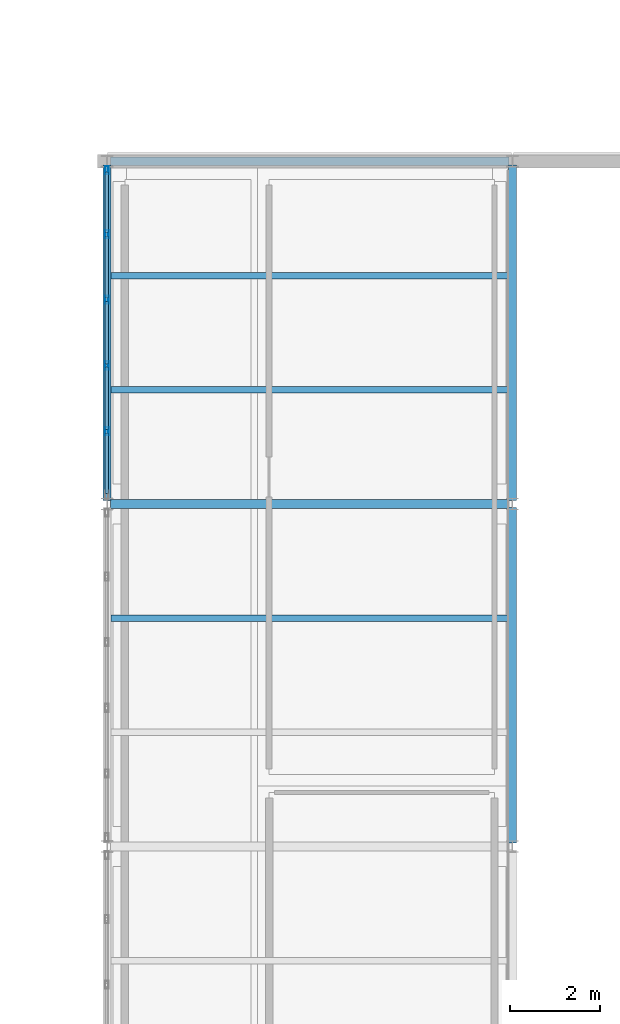
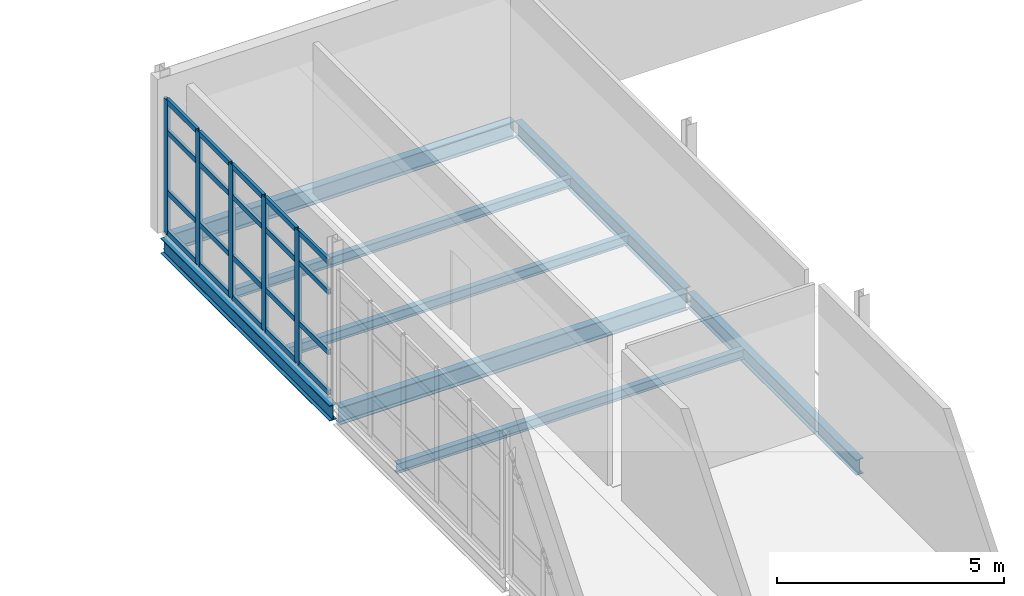
# One storey, part 108 of 166: 25 members, 8 beams, 1 element without a shape of its own.
"""IFC4 building model written with IfcOpenShell, lengths in metres."""

import ifcopenshell
import ifcopenshell.guid

model = None  # the IFC model being written
_history = None  # IfcOwnerHistory: only IFC2X3 demands one
_inside = {}  # id of a spatial element -> (the spatial element, [elements in it])
_under = {}  # id of a project, library or spatial element -> (it, [spatial elements below it])
_declared = {}  # id of a project -> (the project, [libraries it declares])
_typed = {}  # id of a type object -> (the type object, [elements of that type])
_made_of = {}  # id of a material, layer set ... -> (it, [elements and type objects made of it])


def new_model(schema):
    """Start an empty IFC model of exactly this schema.

    Asked for "IFC4X3", IfcOpenShell would pick the latest addendum, in which some entities
    have other attributes; the version numbers below select the first issue.
    IFC2X3 requires an IfcOwnerHistory on every rooted entity: one is made here for all.
    """
    global model, _history
    if schema == "IFC4X3":
        model = ifcopenshell.file(schema_version=(4, 3, 0, 0))
    else:
        model = ifcopenshell.file(schema=schema)
    _inside.clear()
    _under.clear()
    _declared.clear()
    _typed.clear()
    _made_of.clear()
    _history = None
    if model.schema == "IFC2X3":
        org = make("IfcOrganization", Name="unknown")
        user = make(
            "IfcPersonAndOrganization",
            ThePerson=make("IfcPerson", FamilyName="unknown"),
            TheOrganization=org,
        )
        app = make(
            "IfcApplication",
            ApplicationDeveloper=org,
            Version="unknown",
            ApplicationFullName="unknown",
            ApplicationIdentifier="unknown",
        )
        _history = make(
            "IfcOwnerHistory",
            OwningUser=user,
            OwningApplication=app,
            ChangeAction="ADDED",
            CreationDate=0,
        )
    return model


def make(cls, **values):
    """One entity of the class cls with the attributes given. An attribute that is None is left unset."""
    return model.create_entity(
        cls, **{name: value for name, value in values.items() if value is not None}
    )


def rooted(cls, **values):
    """An entity with a GlobalId (a new one), such as an element, a storey or a relation."""
    return make(cls, GlobalId=ifcopenshell.guid.new(), OwnerHistory=_history, **values)


def si_unit(unit_type, name, prefix=None):
    """IfcSIUnit, for example si_unit("LENGTHUNIT", "METRE", prefix="MILLI")."""
    return make("IfcSIUnit", UnitType=unit_type, Prefix=prefix, Name=name)


def assignment(units):
    """IfcUnitAssignment: the units of a project."""
    return None if units is None else make("IfcUnitAssignment", Units=units)


def point(xyz):
    """IfcCartesianPoint."""
    return None if xyz is None else make("IfcCartesianPoint", Coordinates=xyz)


def direction(xyz):
    """IfcDirection."""
    return None if xyz is None else make("IfcDirection", DirectionRatios=xyz)


def frame(location, z_axis=None, x_axis=None):
    """IfcAxis2Placement3D, a coordinate frame: its origin and axes. An axis left out is left unset."""
    return make(
        "IfcAxis2Placement3D",
        Location=point(location),
        Axis=direction(z_axis),
        RefDirection=direction(x_axis),
    )


def frame_2d(location, x_axis=None):
    """IfcAxis2Placement2D, a coordinate frame in the plane: its origin and x axis."""
    return make(
        "IfcAxis2Placement2D", Location=point(location), RefDirection=direction(x_axis)
    )


def origin():
    """The frame at (0, 0, 0) with its axes left unset."""
    return frame((0.0, 0.0, 0.0))


def origin_2d():
    """The frame at (0, 0) in the plane with its x axis left unset."""
    return frame_2d((0.0, 0.0))


def place(relative_to, where):
    """IfcLocalPlacement: puts the frame where relative to a parent placement (None: the world)."""
    return make(
        "IfcLocalPlacement", PlacementRelTo=relative_to, RelativePlacement=where
    )


def context(
    kind, dimensions, precision=None, world=None, true_north=None, identifier=None
):
    """IfcGeometricRepresentationContext, for example the 3D "Model" context."""
    return make(
        "IfcGeometricRepresentationContext",
        ContextIdentifier=identifier,
        ContextType=kind,
        CoordinateSpaceDimension=dimensions,
        Precision=precision,
        WorldCoordinateSystem=world,
        TrueNorth=true_north,
    )


def subcontext(parent, identifier, kind, view, scale=None):
    """IfcGeometricRepresentationSubContext, for example "Body" below "Model"."""
    return make(
        "IfcGeometricRepresentationSubContext",
        ContextIdentifier=identifier,
        ContextType=kind,
        ParentContext=parent,
        TargetScale=scale,
        TargetView=view,
    )


def project(units=None, contexts=None):
    """IfcProject with its units and contexts."""
    return rooted(
        "IfcProject",
        Name="project",
        RepresentationContexts=contexts,
        UnitsInContext=assignment(units),
    )


def spatial(cls, under=None, at=None, **own):
    """A site, building, storey or space (cls), placed at a placement, below another one or the project."""
    s = rooted(cls, ObjectPlacement=at, **own)
    if under is not None:
        _under.setdefault(under.id(), (under, []))[1].append(s)
    return s


def profile(cls, at=None, kind="AREA", **sizes):
    """A parametric profile (cls). Its sizes go by their IFC names, for example OverallWidth=200.0."""
    return make(cls, ProfileType=kind, Position=at, **sizes)


def hollow_rectangle(**sizes):
    """IfcRectangleHollowProfileDef."""
    return profile("IfcRectangleHollowProfileDef", **sizes)


def i_section(**sizes):
    """IfcIShapeProfileDef."""
    return profile("IfcIShapeProfileDef", **sizes)


def extrude(swept, where, along, depth):
    """IfcExtrudedAreaSolid: the profile swept, set in the frame where, extruded along a direction by depth."""
    return make(
        "IfcExtrudedAreaSolid",
        SweptArea=swept,
        Position=where,
        ExtrudedDirection=direction(along),
        Depth=depth,
    )


def shape(context_of_items, identifier, shape_type, items):
    """IfcShapeRepresentation: the items that make up one representation, for example the "Body"."""
    return make(
        "IfcShapeRepresentation",
        ContextOfItems=context_of_items,
        RepresentationIdentifier=identifier,
        RepresentationType=shape_type,
        Items=items,
    )


def material(Name=None, Category=None):
    """IfcMaterial."""
    return make("IfcMaterial", Name=Name, Category=Category)


def material_profile(
    of_material, cross_section, Name=None, Category=None, Priority=None
):
    """IfcMaterialProfile: a cross section and its material."""
    return make(
        "IfcMaterialProfile",
        Name=Name,
        Material=of_material,
        Profile=cross_section,
        Priority=Priority,
        Category=Category,
    )


def profile_set(profiles, Name=None, composite=None):
    """IfcMaterialProfileSet."""
    return make(
        "IfcMaterialProfileSet",
        Name=Name,
        MaterialProfiles=profiles,
        CompositeProfile=composite,
    )


def made_of(thing, what):
    """Note that an element or type object is made of a material, layer set ...; save() writes the relation."""
    if what is not None:
        _made_of.setdefault(what.id(), (what, []))[1].append(thing)
    return thing


def type_object(cls, material=None, **own):
    """A type object (cls), such as IfcWallType, which elements share."""
    return made_of(rooted(cls, **own), material)


def element(
    cls,
    number,
    at=None,
    inside=None,
    cuts=None,
    type_object=None,
    material=None,
    context=None,
    identifier="Body",
    shape_type=None,
    held_by="IfcProductDefinitionShape",
    body=None,
    shapes=None,
    **own,
):
    """One element of the class cls, such as IfcWall. Its Tag is "e" and its number.

    at: its placement. inside: the storey or other place that contains it. cuts: it is an
    opening in that element (IfcRelVoidsElement). A single representation is given by context,
    identifier, shape_type and body (its items); several are given by shapes. held_by: the class
    of the entity that holds the representations. save() writes the other relations.
    """
    e = rooted(cls, Tag="e%d" % number, ObjectPlacement=at, **own)
    if body is not None:
        shapes = [shape(context, identifier, shape_type, body)]
    if shapes is not None:
        e.Representation = make(held_by, Representations=shapes)
    if inside is not None:
        _inside.setdefault(inside.id(), (inside, []))[1].append(e)
    if cuts is not None:
        rooted(
            "IfcRelVoidsElement", RelatingBuildingElement=cuts, RelatedOpeningElement=e
        )
    if type_object is not None:
        _typed.setdefault(type_object.id(), (type_object, []))[1].append(e)
    return made_of(e, material)


def aggregate(whole, parts):
    """IfcRelAggregates: a whole, such as a stair, and the parts it consists of."""
    return rooted("IfcRelAggregates", RelatingObject=whole, RelatedObjects=parts)


def save(model, path):
    """Write the relations noted so far, then the file.

    IfcRelAggregates (storeys below a building ...), IfcRelContainedInSpatialStructure (elements
    in a storey), IfcRelDefinesByType, IfcRelAssociatesMaterial and IfcRelDeclares: one each for
    every whole, place, type object, material and project.
    """
    for whole, parts in _under.values():
        aggregate(whole, parts)
    for where, things in _inside.values():
        rooted(
            "IfcRelContainedInSpatialStructure",
            RelatedElements=things,
            RelatingStructure=where,
        )
    for kind, things in _typed.values():
        rooted("IfcRelDefinesByType", RelatedObjects=things, RelatingType=kind)
    for what, things in _made_of.values():
        rooted("IfcRelAssociatesMaterial", RelatedObjects=things, RelatingMaterial=what)
    for by, libraries in _declared.values():
        rooted("IfcRelDeclares", RelatingContext=by, RelatedDefinitions=libraries)
    model.write(path)


model = new_model("IFC4")

# Units and contexts
model_context = context("Model", 3, precision=1e-05, world=origin(), true_north=direction((0.0, 1.0)))
body_context = subcontext(model_context, "Body", "Model", "MODEL_VIEW")
ifc_project = project(units=[si_unit("LENGTHUNIT", "METRE"), si_unit("AREAUNIT", "SQUARE_METRE"), si_unit("VOLUMEUNIT", "CUBIC_METRE"), si_unit("PLANEANGLEUNIT", "RADIAN"), si_unit("MASSUNIT", "GRAM", prefix="KILO")], contexts=[model_context])

# Site, building, storey
site_placement = place(None, origin())
site = spatial("IfcSite", under=ifc_project, at=site_placement, CompositionType="ELEMENT")
building_placement = place(site_placement, origin())
building = spatial("IfcBuilding", under=site, at=building_placement, Name="Caisbarro Railhouse Central Library", CompositionType="ELEMENT")
storey_placement = place(building_placement, frame((0.0, 0.0, 9.360107421875)))
storey = spatial("IfcBuildingStorey", under=building, at=storey_placement, Name="L02", CompositionType="ELEMENT", Elevation=9.360107421875)

# Beams
ifc_material_1 = material(Name="Steel ASTM A572 Grade 50", Category="steel")
ifc_material_profile_1 = material_profile(ifc_material_1, i_section(OverallWidth=0.194091796875, OverallDepth=0.468994140625, WebThickness=0.0126953125, FlangeThickness=0.0205078125, FilletRadius=0.01806640625, at=origin_2d()), Name="W460X106.0")
ifc_profile_set_1 = profile_set([ifc_material_profile_1], Name="Steel ASTM A572 Grade 50")
beam_type_1 = type_object("IfcBeamType", Name="BM-G07", PredefinedType="BEAM", material=ifc_profile_set_1)
beam_1_placement = place(storey_placement, frame((144.080078125, 30.39990234375, -0.4345703125), z_axis=(1.0, 0.0, 0.0), x_axis=(0.0, 1.0, 0.0)))
element("IfcBeam", 1, at=beam_1_placement, inside=storey, type_object=beam_type_1, Name="G07 beam L02 #1632", PredefinedType="BEAM", context=body_context, shape_type="SweptSolid", body=[
    extrude(i_section(OverallWidth=0.194091796875, OverallDepth=0.468994140625, WebThickness=0.0126953125, FlangeThickness=0.0205078125, FilletRadius=0.01806640625, at=origin_2d()), origin(), (0.0, 0.0, 1.0), 8.83984375),
])
ifc_material_profile_2 = material_profile(ifc_material_1, i_section(OverallWidth=0.180908203125, OverallDepth=0.4169921875, WebThickness=0.010986328125, FlangeThickness=0.018310546875, FilletRadius=0.01611328125, at=origin_2d()), Name="W410X85.0")
ifc_profile_set_2 = profile_set([ifc_material_profile_2], Name="Steel ASTM A572 Grade 50")
beam_type_2 = type_object("IfcBeamType", Name="BM-G09", PredefinedType="BEAM", material=ifc_profile_set_2)
beam_2_placement = place(storey_placement, frame((144.0, 30.47998046875, -0.40869140625), z_axis=(0.0, 1.0, 0.0), x_axis=(-1.0, 0.0, 0.0)))
element("IfcBeam", 2, at=beam_2_placement, inside=storey, type_object=beam_type_2, Name="G09 beam L02 #1638", PredefinedType="BEAM", context=body_context, shape_type="SweptSolid", body=[
    extrude(i_section(OverallWidth=0.180908203125, OverallDepth=0.4169921875, WebThickness=0.010986328125, FlangeThickness=0.018310546875, FilletRadius=0.01611328125, at=origin_2d()), origin(), (0.0, 0.0, 1.0), 7.43994140625),
])
beam_3_placement = place(storey_placement, frame((153.0, 22.8798828125, -0.40869140625), z_axis=(0.0, 1.0, 0.0), x_axis=(-1.0, 0.0, 0.0)))
element("IfcBeam", 3, at=beam_3_placement, inside=storey, type_object=beam_type_2, Name="G09 beam L02 #1642", PredefinedType="BEAM", context=body_context, shape_type="SweptSolid", body=[
    extrude(i_section(OverallWidth=0.180908203125, OverallDepth=0.4169921875, WebThickness=0.010986328125, FlangeThickness=0.018310546875, FilletRadius=0.01611328125, at=origin_2d()), origin(), (0.0, 0.0, 1.0), 7.440185546875),
])
beam_4_placement = place(storey_placement, frame((153.0, 30.47998046875, -0.40869140625), z_axis=(0.0, 1.0, 0.0), x_axis=(-1.0, 0.0, 0.0)))
element("IfcBeam", 4, at=beam_4_placement, inside=storey, type_object=beam_type_2, Name="G09 beam L02 #1643", PredefinedType="BEAM", context=body_context, shape_type="SweptSolid", body=[
    extrude(i_section(OverallWidth=0.180908203125, OverallDepth=0.4169921875, WebThickness=0.010986328125, FlangeThickness=0.018310546875, FilletRadius=0.01611328125, at=origin_2d()), origin(), (0.0, 0.0, 1.0), 7.43994140625),
])
ifc_material_profile_3 = material_profile(ifc_material_1, i_section(OverallWidth=0.14599609375, OverallDepth=0.258056640625, WebThickness=0.006103515625, FlangeThickness=0.009033203125, FilletRadius=0.010009765625, at=origin_2d()), Name="W250X32.7")
ifc_profile_set_3 = profile_set([ifc_material_profile_3], Name="Steel ASTM A572 Grade 50")
beam_type_3 = type_object("IfcBeamType", Name="BM-J05", PredefinedType="JOIST", material=ifc_profile_set_3)
for number, where, z_axis, x_axis, name in (
    (5, (144.090576171875, 27.86669921875, -0.3291015625), (1.0, 0.0, 0.0), (0.0, 1.0, 0.0), "J05 beam L02 #1649"),
    (6, (144.090576171875, 32.933349609375, -0.3291015625), (1.0, 0.0, 0.0), (0.0, 1.0, 0.0), "J05 beam L02 #1650"),
    (7, (144.090576171875, 35.466796875, -0.3291015625), (1.0, 0.0, 0.0), (0.0, 1.0, 0.0), "J05 beam L02 #1651"),
):
    element("IfcBeam", number, at=place(storey_placement, frame(where, z_axis=z_axis, x_axis=x_axis)), inside=storey, type_object=beam_type_3, Name=name, PredefinedType="JOIST", context=body_context, shape_type="SweptSolid", body=[
        extrude(i_section(OverallWidth=0.14599609375, OverallDepth=0.258056640625, WebThickness=0.006103515625, FlangeThickness=0.009033203125, FilletRadius=0.010009765625, at=origin_2d()), origin(), (0.0, 0.0, 1.0), 8.81884765625),
    ])
ifc_material_profile_4 = material_profile(ifc_material_1, i_section(OverallWidth=0.18994140625, OverallDepth=0.45703125, WebThickness=0.009033203125, FlangeThickness=0.014404296875, FilletRadius=0.01806640625, at=origin_2d()), Name="W460X74.0")
ifc_profile_set_4 = profile_set([ifc_material_profile_4], Name="Steel ASTM A572 Grade 50")
beam_type_4 = type_object("IfcBeamType", Name="BM-SP01", PredefinedType="SPANDREL", material=ifc_profile_set_4)
beam_5_placement = place(storey_placement, frame((144.080078125, 38.0, -0.4287109375), z_axis=(1.0, 0.0, 0.0), x_axis=(0.0, 1.0, 0.0)))
element("IfcBeam", 8, at=beam_5_placement, inside=storey, type_object=beam_type_4, Name="SP01 beam L02 #1633", PredefinedType="SPANDREL", context=body_context, shape_type="SweptSolid", body=[
    extrude(i_section(OverallWidth=0.18994140625, OverallDepth=0.45703125, WebThickness=0.009033203125, FlangeThickness=0.014404296875, FilletRadius=0.01806640625, at=origin_2d()), origin(), (0.0, 0.0, 1.0), 8.83984375),
])

# Curtain wall, members
ifc_material_2 = material(Name="Anodised architectural aluminium", Category="aluminium")
curtain_wall_type = type_object("IfcCurtainWallType", Name="CW-CW02", PredefinedType="NOTDEFINED", material=ifc_material_2)
curtain_wall_placement = place(storey_placement, origin())
curtain_wall = element("IfcCurtainWall", 9, at=curtain_wall_placement, inside=storey, type_object=curtain_wall_type, Name="CW02 curtain wall L02 #95", PredefinedType="NOTDEFINED")
ifc_material_profile_5 = material_profile(ifc_material_2, hollow_rectangle(XDim=0.074951171875, YDim=0.179931640625, WallThickness=0.00439453125, at=origin_2d()), Name="ALU-MUL-75X180")
ifc_profile_set_5 = profile_set([ifc_material_profile_5], Name="Anodised architectural aluminium")
member_type_1 = type_object("IfcMemberType", Name="CWM-M01", PredefinedType="MULLION", material=ifc_profile_set_5)
member_1_placement = place(storey_placement, frame((144.0, 32.01611328125, 0.0), z_axis=(0.0, 0.0, 1.0), x_axis=(-1.0, 0.0, 0.0)))
member_1 = element("IfcMember", 10, at=member_1_placement, type_object=member_type_1, Name="CW02 mullion 2", PredefinedType="MULLION", context=body_context, shape_type="SweptSolid", body=[
    extrude(hollow_rectangle(XDim=0.074951171875, YDim=0.179931640625, WallThickness=0.00439453125, at=origin_2d()), origin(), (0.0, 0.0, 1.0), 3.58984375),
])
member_2_placement = place(storey_placement, frame((144.0, 33.471923828125, 0.0), z_axis=(0.0, 0.0, 1.0), x_axis=(-1.0, 0.0, 0.0)))
member_2 = element("IfcMember", 11, at=member_2_placement, type_object=member_type_1, Name="CW02 mullion 3", PredefinedType="MULLION", context=body_context, shape_type="SweptSolid", body=[
    extrude(hollow_rectangle(XDim=0.074951171875, YDim=0.179931640625, WallThickness=0.00439453125, at=origin_2d()), origin(), (0.0, 0.0, 1.0), 3.58984375),
])
member_3_placement = place(storey_placement, frame((144.0, 34.927978515625, 0.0), z_axis=(0.0, 0.0, 1.0), x_axis=(-1.0, 0.0, 0.0)))
member_3 = element("IfcMember", 12, at=member_3_placement, type_object=member_type_1, Name="CW02 mullion 4", PredefinedType="MULLION", context=body_context, shape_type="SweptSolid", body=[
    extrude(hollow_rectangle(XDim=0.074951171875, YDim=0.179931640625, WallThickness=0.00439453125, at=origin_2d()), origin(), (0.0, 0.0, 1.0), 3.58984375),
])
member_4_placement = place(storey_placement, frame((144.0, 36.384033203125, 0.0), z_axis=(0.0, 0.0, 1.0), x_axis=(-1.0, 0.0, 0.0)))
member_4 = element("IfcMember", 13, at=member_4_placement, type_object=member_type_1, Name="CW02 mullion 5", PredefinedType="MULLION", context=body_context, shape_type="SweptSolid", body=[
    extrude(hollow_rectangle(XDim=0.074951171875, YDim=0.179931640625, WallThickness=0.00439453125, at=origin_2d()), origin(), (0.0, 0.0, 1.0), 3.58984375),
])
member_5_placement = place(storey_placement, frame((144.0, 37.802490234375, 0.0), z_axis=(0.0, 0.0, 1.0), x_axis=(-1.0, 0.0, 0.0)))
member_5 = element("IfcMember", 14, at=member_5_placement, type_object=member_type_1, Name="CW02 mullion 6", PredefinedType="MULLION", context=body_context, shape_type="SweptSolid", body=[
    extrude(hollow_rectangle(XDim=0.074951171875, YDim=0.179931640625, WallThickness=0.00439453125, at=origin_2d()), origin(), (0.0, 0.0, 1.0), 3.58984375),
])
ifc_material_profile_6 = material_profile(ifc_material_2, hollow_rectangle(XDim=0.074951171875, YDim=0.139892578125, WallThickness=0.00390625, at=origin_2d()), Name="ALU-TRN-75X140")
ifc_profile_set_6 = profile_set([ifc_material_profile_6], Name="Anodised architectural aluminium")
member_type_2 = type_object("IfcMemberType", Name="CWT-T01", PredefinedType="USERDEFINED", material=ifc_profile_set_6)
member_6_placement = place(storey_placement, frame((144.0, 30.635009765625, 0.037353515625), z_axis=(0.0, 1.0, 0.0), x_axis=(-1.0, 0.0, 0.0)))
member_6 = element("IfcMember", 15, at=member_6_placement, type_object=member_type_2, Name="CW02 transom 1.1", ObjectType="TRANSOM", PredefinedType="USERDEFINED", context=body_context, shape_type="SweptSolid", body=[
    extrude(hollow_rectangle(XDim=0.074951171875, YDim=0.139892578125, WallThickness=0.00390625, at=origin_2d()), origin(), (0.0, 0.0, 1.0), 1.343505859375),
])
member_7_placement = place(storey_placement, frame((144.0, 30.635009765625, 1.119873046875), z_axis=(0.0, 1.0, 0.0), x_axis=(-1.0, 0.0, 0.0)))
member_7 = element("IfcMember", 16, at=member_7_placement, type_object=member_type_2, Name="CW02 transom 1.2", ObjectType="TRANSOM", PredefinedType="USERDEFINED", context=body_context, shape_type="SweptSolid", body=[
    extrude(hollow_rectangle(XDim=0.074951171875, YDim=0.139892578125, WallThickness=0.00390625, at=origin_2d()), origin(), (0.0, 0.0, 1.0), 1.343505859375),
])
member_8_placement = place(storey_placement, frame((144.0, 30.635009765625, 2.739990234375), z_axis=(0.0, 1.0, 0.0), x_axis=(-1.0, 0.0, 0.0)))
member_8 = element("IfcMember", 17, at=member_8_placement, type_object=member_type_2, Name="CW02 transom 1.3", ObjectType="TRANSOM", PredefinedType="USERDEFINED", context=body_context, shape_type="SweptSolid", body=[
    extrude(hollow_rectangle(XDim=0.074951171875, YDim=0.139892578125, WallThickness=0.00390625, at=origin_2d()), origin(), (0.0, 0.0, 1.0), 1.343505859375),
])
member_9_placement = place(storey_placement, frame((144.0, 30.635009765625, 3.552490234375), z_axis=(0.0, 1.0, 0.0), x_axis=(-1.0, 0.0, 0.0)))
member_9 = element("IfcMember", 18, at=member_9_placement, type_object=member_type_2, Name="CW02 transom 1.4", ObjectType="TRANSOM", PredefinedType="USERDEFINED", context=body_context, shape_type="SweptSolid", body=[
    extrude(hollow_rectangle(XDim=0.074951171875, YDim=0.139892578125, WallThickness=0.00390625, at=origin_2d()), origin(), (0.0, 0.0, 1.0), 1.343505859375),
])
member_10_placement = place(storey_placement, frame((144.0, 32.053466796875, 0.037353515625), z_axis=(0.0, 1.0, 0.0), x_axis=(-1.0, 0.0, 0.0)))
member_10 = element("IfcMember", 19, at=member_10_placement, type_object=member_type_2, Name="CW02 transom 2.1", ObjectType="TRANSOM", PredefinedType="USERDEFINED", context=body_context, shape_type="SweptSolid", body=[
    extrude(hollow_rectangle(XDim=0.074951171875, YDim=0.139892578125, WallThickness=0.00390625, at=origin_2d()), origin(), (0.0, 0.0, 1.0), 1.381103515625),
])
member_11_placement = place(storey_placement, frame((144.0, 32.053466796875, 1.119873046875), z_axis=(0.0, 1.0, 0.0), x_axis=(-1.0, 0.0, 0.0)))
member_11 = element("IfcMember", 20, at=member_11_placement, type_object=member_type_2, Name="CW02 transom 2.2", ObjectType="TRANSOM", PredefinedType="USERDEFINED", context=body_context, shape_type="SweptSolid", body=[
    extrude(hollow_rectangle(XDim=0.074951171875, YDim=0.139892578125, WallThickness=0.00390625, at=origin_2d()), origin(), (0.0, 0.0, 1.0), 1.381103515625),
])
member_12_placement = place(storey_placement, frame((144.0, 32.053466796875, 2.739990234375), z_axis=(0.0, 1.0, 0.0), x_axis=(-1.0, 0.0, 0.0)))
member_12 = element("IfcMember", 21, at=member_12_placement, type_object=member_type_2, Name="CW02 transom 2.3", ObjectType="TRANSOM", PredefinedType="USERDEFINED", context=body_context, shape_type="SweptSolid", body=[
    extrude(hollow_rectangle(XDim=0.074951171875, YDim=0.139892578125, WallThickness=0.00390625, at=origin_2d()), origin(), (0.0, 0.0, 1.0), 1.381103515625),
])
member_13_placement = place(storey_placement, frame((144.0, 32.053466796875, 3.552490234375), z_axis=(0.0, 1.0, 0.0), x_axis=(-1.0, 0.0, 0.0)))
member_13 = element("IfcMember", 22, at=member_13_placement, type_object=member_type_2, Name="CW02 transom 2.4", ObjectType="TRANSOM", PredefinedType="USERDEFINED", context=body_context, shape_type="SweptSolid", body=[
    extrude(hollow_rectangle(XDim=0.074951171875, YDim=0.139892578125, WallThickness=0.00390625, at=origin_2d()), origin(), (0.0, 0.0, 1.0), 1.381103515625),
])
member_14_placement = place(storey_placement, frame((144.0, 33.509521484375, 0.037353515625), z_axis=(0.0, 1.0, 0.0), x_axis=(-1.0, 0.0, 0.0)))
member_14 = element("IfcMember", 23, at=member_14_placement, type_object=member_type_2, Name="CW02 transom 3.1", ObjectType="TRANSOM", PredefinedType="USERDEFINED", context=body_context, shape_type="SweptSolid", body=[
    extrude(hollow_rectangle(XDim=0.074951171875, YDim=0.139892578125, WallThickness=0.00390625, at=origin_2d()), origin(), (0.0, 0.0, 1.0), 1.380859375),
])
member_15_placement = place(storey_placement, frame((144.0, 33.509521484375, 1.119873046875), z_axis=(0.0, 1.0, 0.0), x_axis=(-1.0, 0.0, 0.0)))
member_15 = element("IfcMember", 24, at=member_15_placement, type_object=member_type_2, Name="CW02 transom 3.2", ObjectType="TRANSOM", PredefinedType="USERDEFINED", context=body_context, shape_type="SweptSolid", body=[
    extrude(hollow_rectangle(XDim=0.074951171875, YDim=0.139892578125, WallThickness=0.00390625, at=origin_2d()), origin(), (0.0, 0.0, 1.0), 1.380859375),
])
member_16_placement = place(storey_placement, frame((144.0, 33.509521484375, 2.739990234375), z_axis=(0.0, 1.0, 0.0), x_axis=(-1.0, 0.0, 0.0)))
member_16 = element("IfcMember", 25, at=member_16_placement, type_object=member_type_2, Name="CW02 transom 3.3", ObjectType="TRANSOM", PredefinedType="USERDEFINED", context=body_context, shape_type="SweptSolid", body=[
    extrude(hollow_rectangle(XDim=0.074951171875, YDim=0.139892578125, WallThickness=0.00390625, at=origin_2d()), origin(), (0.0, 0.0, 1.0), 1.380859375),
])
member_17_placement = place(storey_placement, frame((144.0, 33.509521484375, 3.552490234375), z_axis=(0.0, 1.0, 0.0), x_axis=(-1.0, 0.0, 0.0)))
member_17 = element("IfcMember", 26, at=member_17_placement, type_object=member_type_2, Name="CW02 transom 3.4", ObjectType="TRANSOM", PredefinedType="USERDEFINED", context=body_context, shape_type="SweptSolid", body=[
    extrude(hollow_rectangle(XDim=0.074951171875, YDim=0.139892578125, WallThickness=0.00390625, at=origin_2d()), origin(), (0.0, 0.0, 1.0), 1.380859375),
])
member_18_placement = place(storey_placement, frame((144.0, 34.965576171875, 0.037353515625), z_axis=(0.0, 1.0, 0.0), x_axis=(-1.0, 0.0, 0.0)))
member_18 = element("IfcMember", 27, at=member_18_placement, type_object=member_type_2, Name="CW02 transom 4.1", ObjectType="TRANSOM", PredefinedType="USERDEFINED", context=body_context, shape_type="SweptSolid", body=[
    extrude(hollow_rectangle(XDim=0.074951171875, YDim=0.139892578125, WallThickness=0.00390625, at=origin_2d()), origin(), (0.0, 0.0, 1.0), 1.380859375),
])
member_19_placement = place(storey_placement, frame((144.0, 34.965576171875, 1.119873046875), z_axis=(0.0, 1.0, 0.0), x_axis=(-1.0, 0.0, 0.0)))
member_19 = element("IfcMember", 28, at=member_19_placement, type_object=member_type_2, Name="CW02 transom 4.2", ObjectType="TRANSOM", PredefinedType="USERDEFINED", context=body_context, shape_type="SweptSolid", body=[
    extrude(hollow_rectangle(XDim=0.074951171875, YDim=0.139892578125, WallThickness=0.00390625, at=origin_2d()), origin(), (0.0, 0.0, 1.0), 1.380859375),
])
member_20_placement = place(storey_placement, frame((144.0, 34.965576171875, 2.739990234375), z_axis=(0.0, 1.0, 0.0), x_axis=(-1.0, 0.0, 0.0)))
member_20 = element("IfcMember", 29, at=member_20_placement, type_object=member_type_2, Name="CW02 transom 4.3", ObjectType="TRANSOM", PredefinedType="USERDEFINED", context=body_context, shape_type="SweptSolid", body=[
    extrude(hollow_rectangle(XDim=0.074951171875, YDim=0.139892578125, WallThickness=0.00390625, at=origin_2d()), origin(), (0.0, 0.0, 1.0), 1.380859375),
])
member_21_placement = place(storey_placement, frame((144.0, 34.965576171875, 3.552490234375), z_axis=(0.0, 1.0, 0.0), x_axis=(-1.0, 0.0, 0.0)))
member_21 = element("IfcMember", 30, at=member_21_placement, type_object=member_type_2, Name="CW02 transom 4.4", ObjectType="TRANSOM", PredefinedType="USERDEFINED", context=body_context, shape_type="SweptSolid", body=[
    extrude(hollow_rectangle(XDim=0.074951171875, YDim=0.139892578125, WallThickness=0.00390625, at=origin_2d()), origin(), (0.0, 0.0, 1.0), 1.380859375),
])
member_22_placement = place(storey_placement, frame((144.0, 36.42138671875, 0.037353515625), z_axis=(0.0, 1.0, 0.0), x_axis=(-1.0, 0.0, 0.0)))
member_22 = element("IfcMember", 31, at=member_22_placement, type_object=member_type_2, Name="CW02 transom 5.1", ObjectType="TRANSOM", PredefinedType="USERDEFINED", context=body_context, shape_type="SweptSolid", body=[
    extrude(hollow_rectangle(XDim=0.074951171875, YDim=0.139892578125, WallThickness=0.00390625, at=origin_2d()), origin(), (0.0, 0.0, 1.0), 1.343505859375),
])
member_23_placement = place(storey_placement, frame((144.0, 36.42138671875, 1.119873046875), z_axis=(0.0, 1.0, 0.0), x_axis=(-1.0, 0.0, 0.0)))
member_23 = element("IfcMember", 32, at=member_23_placement, type_object=member_type_2, Name="CW02 transom 5.2", ObjectType="TRANSOM", PredefinedType="USERDEFINED", context=body_context, shape_type="SweptSolid", body=[
    extrude(hollow_rectangle(XDim=0.074951171875, YDim=0.139892578125, WallThickness=0.00390625, at=origin_2d()), origin(), (0.0, 0.0, 1.0), 1.343505859375),
])
member_24_placement = place(storey_placement, frame((144.0, 36.42138671875, 2.739990234375), z_axis=(0.0, 1.0, 0.0), x_axis=(-1.0, 0.0, 0.0)))
member_24 = element("IfcMember", 33, at=member_24_placement, type_object=member_type_2, Name="CW02 transom 5.3", ObjectType="TRANSOM", PredefinedType="USERDEFINED", context=body_context, shape_type="SweptSolid", body=[
    extrude(hollow_rectangle(XDim=0.074951171875, YDim=0.139892578125, WallThickness=0.00390625, at=origin_2d()), origin(), (0.0, 0.0, 1.0), 1.343505859375),
])
member_25_placement = place(storey_placement, frame((144.0, 36.42138671875, 3.552490234375), z_axis=(0.0, 1.0, 0.0), x_axis=(-1.0, 0.0, 0.0)))
member_25 = element("IfcMember", 34, at=member_25_placement, type_object=member_type_2, Name="CW02 transom 5.4", ObjectType="TRANSOM", PredefinedType="USERDEFINED", context=body_context, shape_type="SweptSolid", body=[
    extrude(hollow_rectangle(XDim=0.074951171875, YDim=0.139892578125, WallThickness=0.00390625, at=origin_2d()), origin(), (0.0, 0.0, 1.0), 1.343505859375),
])
aggregate(curtain_wall, [member_1, member_2, member_3, member_4, member_5, member_6, member_7, member_8, member_9, member_10, member_11, member_12, member_13, member_14, member_15, member_16, member_17, member_18, member_19, member_20, member_21, member_22, member_23, member_24, member_25])

save(model, "model.ifc")
